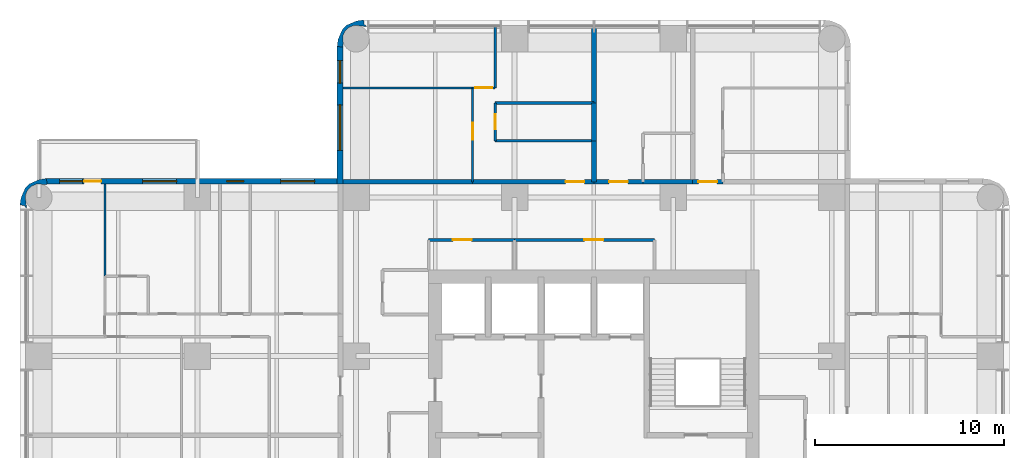
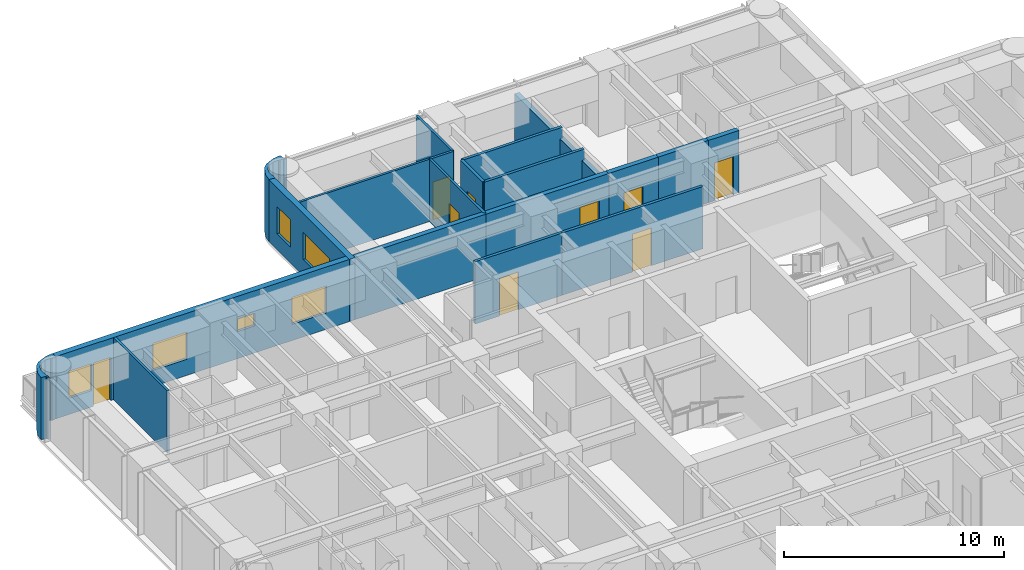
# One storey, part 9 of 11: 22 walls, 9 doors, 6 windows, 15 openings.
"""IFC4 building model written with IfcOpenShell, lengths in metres."""

from ifc_helpers import new_model, si_unit, direction, frame, frame_2d, origin, place, context, subcontext, project, spatial, polyline, rectangle, outline, extrude, material, layer, layer_set, type_object, element, fill, save


model = new_model("IFC4")

# Units and contexts
model_context = context("Model", 3, precision=1e-05, world=origin(), true_north=direction((0.0, 1.0)))
body_context = subcontext(model_context, "Body", "Model", "MODEL_VIEW")
ifc_project = project(units=[si_unit("LENGTHUNIT", "METRE"), si_unit("AREAUNIT", "SQUARE_METRE"), si_unit("VOLUMEUNIT", "CUBIC_METRE"), si_unit("PLANEANGLEUNIT", "RADIAN"), si_unit("MASSUNIT", "GRAM", prefix="KILO")], contexts=[model_context])

# Site, building, storey
site_placement = place(None, origin())
site = spatial("IfcSite", under=ifc_project, at=site_placement, CompositionType="ELEMENT")
building_placement = place(site_placement, origin())
building = spatial("IfcBuilding", under=site, at=building_placement, Name="Torre Alcanfor", CompositionType="ELEMENT")
storey_placement = place(building_placement, frame((0.0, 0.0, 201.300048828125)))
storey = spatial("IfcBuildingStorey", under=building, at=storey_placement, Name="L52", CompositionType="ELEMENT", Elevation=201.300048828125)

# Wall, opening, door
ifc_material_1 = material(Name="Concrete block masonry, hollow blocks NMX-C-404 9 MPa", Category="masonry")
ifc_layer_1 = layer(ifc_material_1, 0.25)
ifc_layer_set_1 = layer_set([ifc_layer_1], Name="Apartment entrance wall 250 EI 60")
wall_type_1 = type_object("IfcWallType", Name="Apartment entrance wall 250 EI 60", PredefinedType="PARTITIONING", material=ifc_layer_set_1)
wall_1_placement = place(storey_placement, frame((22.970947265625, 42.824951171875, 0.0), z_axis=(0.0, 0.0, 1.0), x_axis=(1.0, 0.0, 0.0)))
wall_1 = element("IfcWall", 1, at=wall_1_placement, inside=storey, type_object=wall_type_1, Name="Partition L52-CORR / L52-N1-LIVING", PredefinedType="PARTITIONING", context=body_context, shape_type="SweptSolid", body=[
    extrude(rectangle(XDim=6.428955078125, YDim=0.25, at=frame_2d((3.21435546875, 0.0))), origin(), (0.0, 0.0, 1.0), 3.449951171875),
])
opening_1_placement = place(wall_1_placement, frame((4.928955078125, 0.0, 0.0)))
opening_1 = element("IfcOpeningElement", 2, at=opening_1_placement, cuts=wall_1, Name="Opening D-A1", PredefinedType="OPENING", context=body_context, shape_type="SweptSolid", body=[
    extrude(rectangle(XDim=1.0, YDim=2.10009765625, at=frame_2d((0.5, 1.050048828125))), frame((0.0, 0.135009765625, 0.0), z_axis=(0.0, -1.0, 0.0), x_axis=(1.0, 0.0, 0.0)), (0.0, 0.0, 1.0), 0.27001953125),
])
ifc_material_2 = material(Name="Galvanised steel sheet ASTM A653", Category="steel")
door_type_1 = type_object("IfcDoorType", Name="Apartment entrance door FD60 1000x2100", OperationType="SINGLE_SWING_LEFT", PredefinedType="DOOR", material=ifc_material_2)
door_1_placement = place(opening_1_placement, origin())
door_1 = element("IfcDoor", 3, at=door_1_placement, inside=storey, type_object=door_type_1, Name="Apartment entrance L52-N1", OperationType="SINGLE_SWING_RIGHT", OverallHeight=2.10009765625, OverallWidth=1.0, PredefinedType="DOOR", context=body_context, shape_type="SweptSolid", body=[
    extrude(rectangle(XDim=1.0, YDim=2.10009765625, at=frame_2d((0.5, 1.050048828125))), frame((0.0, 0.02490234375, 0.0), z_axis=(0.0, -1.0, 0.0), x_axis=(1.0, 0.0, 0.0)), (0.0, 0.0, 1.0), 0.050048828125),
])
fill(opening_1, door_1)

# Wall
wall_2_placement = place(storey_placement, frame((16.10009765625, 42.824951171875, 0.0), z_axis=(0.0, 0.0, 1.0), x_axis=(1.0, 0.0, 0.0)))
element("IfcWall", 4, at=wall_2_placement, inside=storey, type_object=wall_type_1, Name="Partition L52-CORR / L52-N1-BED2", PredefinedType="PARTITIONING", context=body_context, shape_type="SweptSolid", body=[
    extrude(rectangle(XDim=6.870849609375, YDim=0.25, at=frame_2d((3.435546875, 0.0))), origin(), (0.0, 0.0, 1.0), 3.449951171875),
])

# Wall, opening, door
wall_3_placement = place(storey_placement, frame((29.39990234375, 42.824951171875, 0.0), z_axis=(0.0, 0.0, 1.0), x_axis=(1.0, 0.0, 0.0)))
wall_3 = element("IfcWall", 5, at=wall_3_placement, inside=storey, type_object=wall_type_1, Name="Partition L52-CORR / L52-N2A-STUDIO", PredefinedType="PARTITIONING", context=body_context, shape_type="SweptSolid", body=[
    extrude(rectangle(XDim=2.60009765625, YDim=0.25, at=frame_2d((1.300048828125, 0.0))), origin(), (0.0, 0.0, 1.0), 3.449951171875),
])
opening_2_placement = place(wall_3_placement, frame((0.800048828125, 0.0, 0.0)))
opening_2 = element("IfcOpeningElement", 6, at=opening_2_placement, cuts=wall_3, Name="Opening D-A1", PredefinedType="OPENING", context=body_context, shape_type="SweptSolid", body=[
    extrude(rectangle(XDim=1.0, YDim=2.10009765625, at=frame_2d((0.5, 1.050048828125))), frame((0.0, 0.135009765625, 0.0), z_axis=(0.0, -1.0, 0.0), x_axis=(1.0, 0.0, 0.0)), (0.0, 0.0, 1.0), 0.27001953125),
])
door_2_placement = place(opening_2_placement, origin())
door_2 = element("IfcDoor", 7, at=door_2_placement, inside=storey, type_object=door_type_1, Name="Apartment entrance L52-N2A", OperationType="SINGLE_SWING_LEFT", OverallHeight=2.10009765625, OverallWidth=1.0, PredefinedType="DOOR", context=body_context, shape_type="SweptSolid", body=[
    extrude(rectangle(XDim=1.0, YDim=2.10009765625, at=frame_2d((0.5, 1.050048828125))), frame((0.0, 0.02490234375, 0.0), z_axis=(0.0, -1.0, 0.0), x_axis=(1.0, 0.0, 0.0)), (0.0, 0.0, 1.0), 0.050048828125),
])
fill(opening_2, door_2)

# Wall
wall_4_placement = place(storey_placement, frame((32.0, 42.824951171875, 0.0), z_axis=(0.0, 0.0, 1.0), x_axis=(1.0, 0.0, 0.0)))
element("IfcWall", 8, at=wall_4_placement, inside=storey, type_object=wall_type_1, Name="Partition L52-CORR / L52-N2A-BATH", PredefinedType="PARTITIONING", context=body_context, shape_type="SweptSolid", body=[
    extrude(rectangle(XDim=2.62890625, YDim=0.25, at=frame_2d((1.314453125, 0.0))), origin(), (0.0, 0.0, 1.0), 3.449951171875),
])

# Wall, opening, door
wall_5_placement = place(storey_placement, frame((34.62890625, 42.824951171875, 0.0), z_axis=(0.0, 0.0, 1.0), x_axis=(1.0, 0.0, 0.0)))
wall_5 = element("IfcWall", 9, at=wall_5_placement, inside=storey, type_object=wall_type_1, Name="Partition L52-CORR / L52-N2B-LIVING", PredefinedType="PARTITIONING", context=body_context, shape_type="SweptSolid", body=[
    extrude(rectangle(XDim=1.60009765625, YDim=0.25, at=frame_2d((0.800048828125, 0.0))), origin(), (0.0, 0.0, 1.0), 3.449951171875),
])
opening_3_placement = place(wall_5_placement, frame((0.300048828125, 0.0, 0.0)))
opening_3 = element("IfcOpeningElement", 10, at=opening_3_placement, cuts=wall_5, Name="Opening D-A1", PredefinedType="OPENING", context=body_context, shape_type="SweptSolid", body=[
    extrude(rectangle(XDim=1.0, YDim=2.10009765625, at=frame_2d((0.5, 1.050048828125))), frame((0.0, 0.135009765625, 0.0), z_axis=(0.0, -1.0, 0.0), x_axis=(1.0, 0.0, 0.0)), (0.0, 0.0, 1.0), 0.27001953125),
])
door_3_placement = place(opening_3_placement, origin())
door_3 = element("IfcDoor", 11, at=door_3_placement, inside=storey, type_object=door_type_1, Name="Apartment entrance L52-N2B", OperationType="SINGLE_SWING_LEFT", OverallHeight=2.10009765625, OverallWidth=1.0, PredefinedType="DOOR", context=body_context, shape_type="SweptSolid", body=[
    extrude(rectangle(XDim=1.0, YDim=2.10009765625, at=frame_2d((0.5, 1.050048828125))), frame((0.0, 0.02490234375, 0.0), z_axis=(0.0, -1.0, 0.0), x_axis=(1.0, 0.0, 0.0)), (0.0, 0.0, 1.0), 0.050048828125),
])
fill(opening_3, door_3)

ifc_material_3 = material(Name="Gypsum board on steel studs", Category="steel")
ifc_layer_2 = layer(ifc_material_3, 0.1201171875)
ifc_layer_set_2 = layer_set([ifc_layer_2], Name="Apartment partition 120")
wall_type_2 = type_object("IfcWallType", Name="Apartment partition 120", PredefinedType="PARTITIONING", material=ifc_layer_set_2)
wall_6_placement = place(storey_placement, frame((22.970947265625, 42.824951171875, 0.0), z_axis=(0.0, 0.0, 1.0), x_axis=(0.0, 1.0, 0.0)))
wall_6 = element("IfcWall", 12, at=wall_6_placement, inside=storey, type_object=wall_type_2, Name="Partition L52-N1-LIVING / L52-N1-BED2", PredefinedType="PARTITIONING", context=body_context, shape_type="SweptSolid", body=[
    extrude(rectangle(XDim=4.97509765625, YDim=0.1201171875, at=frame_2d((2.487548828125, 0.0))), origin(), (0.0, 0.0, 1.0), 3.449951171875),
])
opening_4_placement = place(wall_6_placement, frame((2.22509765625, 0.0, 0.0)))
opening_4 = element("IfcOpeningElement", 13, at=opening_4_placement, cuts=wall_6, Name="Opening D-R1", PredefinedType="OPENING", context=body_context, shape_type="SweptSolid", body=[
    extrude(rectangle(XDim=0.89990234375, YDim=2.10009765625, at=frame_2d((0.449951171875, 1.050048828125))), frame((0.0, 0.070068359375, 0.0), z_axis=(0.0, -1.0, 0.0), x_axis=(1.0, 0.0, 0.0)), (0.0, 0.0, 1.0), 0.14013671875),
])
ifc_material_4 = material(Name="Timber", Category="wood")
door_type_2 = type_object("IfcDoorType", Name="Internal door 900x2100", OperationType="SINGLE_SWING_LEFT", PredefinedType="DOOR", material=ifc_material_4)
door_4_placement = place(opening_4_placement, origin())
door_4 = element("IfcDoor", 14, at=door_4_placement, inside=storey, type_object=door_type_2, Name="Door L52-N1 bed2", OperationType="SINGLE_SWING_RIGHT", OverallHeight=2.10009765625, OverallWidth=0.89990234375, PredefinedType="DOOR", context=body_context, shape_type="SweptSolid", body=[
    extrude(rectangle(XDim=0.89990234375, YDim=2.10009765625, at=frame_2d((0.449951171875, 1.050048828125))), frame((0.0, 0.02490234375, 0.0), z_axis=(0.0, -1.0, 0.0), x_axis=(1.0, 0.0, 0.0)), (0.0, 0.0, 1.0), 0.050048828125),
])
fill(opening_4, door_4)

wall_7_placement = place(storey_placement, frame((22.970947265625, 47.800048828125, 0.0), z_axis=(0.0, 0.0, 1.0), x_axis=(1.0, 0.0, 0.0)))
wall_7 = element("IfcWall", 15, at=wall_7_placement, inside=storey, type_object=wall_type_2, Name="Partition L52-N1-LIVING / L52-N1-MASTER", PredefinedType="PARTITIONING", context=body_context, shape_type="SweptSolid", body=[
    extrude(rectangle(XDim=1.199951171875, YDim=0.1201171875, at=frame_2d((0.60009765625, 0.0))), origin(), (0.0, 0.0, 1.0), 3.449951171875),
])
opening_5_placement = place(wall_7_placement, frame((0.14892578125, 0.0, 0.0)))
opening_5 = element("IfcOpeningElement", 16, at=opening_5_placement, cuts=wall_7, Name="Opening D-R1", PredefinedType="OPENING", context=body_context, shape_type="SweptSolid", body=[
    extrude(rectangle(XDim=0.89990234375, YDim=2.10009765625, at=frame_2d((0.449951171875, 1.050048828125))), frame((0.0, 0.070068359375, 0.0), z_axis=(0.0, -1.0, 0.0), x_axis=(1.0, 0.0, 0.0)), (0.0, 0.0, 1.0), 0.14013671875),
])
door_5_placement = place(opening_5_placement, origin())
door_5 = element("IfcDoor", 17, at=door_5_placement, inside=storey, type_object=door_type_2, Name="Door L52-N1 master", OperationType="SINGLE_SWING_RIGHT", OverallHeight=2.10009765625, OverallWidth=0.89990234375, PredefinedType="DOOR", context=body_context, shape_type="SweptSolid", body=[
    extrude(rectangle(XDim=0.89990234375, YDim=2.10009765625, at=frame_2d((0.449951171875, 1.050048828125))), frame((0.0, 0.02490234375, 0.0), z_axis=(0.0, -1.0, 0.0), x_axis=(1.0, 0.0, 0.0)), (0.0, 0.0, 1.0), 0.050048828125),
])
fill(opening_5, door_5)

# Walls
wall_8_placement = place(storey_placement, frame((24.1708984375, 47.800048828125, 0.0), z_axis=(0.0, 0.0, 1.0), x_axis=(0.0, 1.0, 0.0)))
element("IfcWall", 18, at=wall_8_placement, inside=storey, type_object=wall_type_2, Name="Partition L52-N1-LIVING / L52-N1-MASTER", PredefinedType="PARTITIONING", context=body_context, shape_type="SweptSolid", body=[
    extrude(rectangle(XDim=3.25, YDim=0.1201171875, at=frame_2d((1.625, 0.0))), origin(), (0.0, 0.0, 1.0), 3.449951171875),
])
wall_9_placement = place(storey_placement, frame((22.970947265625, 47.800048828125, 0.0), z_axis=(0.0, 0.0, 1.0), x_axis=(-1.0, 0.0, 0.0)))
element("IfcWall", 19, at=wall_9_placement, inside=storey, type_object=wall_type_2, Name="Partition L52-N1-BED2 / L52-N1-MASTER", PredefinedType="PARTITIONING", context=body_context, shape_type="SweptSolid", body=[
    extrude(rectangle(XDim=6.870849609375, YDim=0.1201171875, at=frame_2d((3.435546875, 0.0))), origin(), (0.0, 0.0, 1.0), 3.449951171875),
])
wall_10_placement = place(storey_placement, frame((3.5, 37.8291015625, 0.0), z_axis=(0.0, 0.0, 1.0), x_axis=(0.0, 1.0, 0.0)))
element("IfcWall", 20, at=wall_10_placement, inside=storey, type_object=wall_type_2, Name="Partition L52-W2-MASTER / L52-W2-WGARD", PredefinedType="PARTITIONING", context=body_context, shape_type="SweptSolid", body=[
    extrude(rectangle(XDim=4.870849609375, YDim=0.1201171875, at=frame_2d((2.435546875, 0.0))), origin(), (0.0, 0.0, 1.0), 3.449951171875),
])

# Wall, openings, door, windows
ifc_material_5 = material(Name="Limestone cladding", Category="masonry")
ifc_layer_3 = layer(ifc_material_5, 0.0400390625, Name="Facing")
ifc_material_6 = material(Name="Ventilated air cavity")
ifc_layer_4 = layer(ifc_material_6, 0.02001953125, ventilated=True, Name="Ventilated joint")
ifc_material_7 = material(Name="Mineral wool insulation", Category="insulation")
ifc_layer_5 = layer(ifc_material_7, 0.10009765625, Name="Insulation")
ifc_material_8 = material(Name="Concrete f'c 35 MPa", Category="concrete")
ifc_layer_6 = layer(ifc_material_8, 0.139892578125, Name="Backing")
ifc_layer_set_3 = layer_set([ifc_layer_3, ifc_layer_4, ifc_layer_5, ifc_layer_6], Name="External wall stone-clad 300")
wall_type_3 = type_object("IfcWallType", Name="External wall stone-clad 300", PredefinedType="SOLIDWALL", material=ifc_layer_set_3)
wall_11_placement = place(storey_placement, frame((15.800048828125, 42.85009765625, 0.0), z_axis=(0.0, 0.0, 1.0), x_axis=(-1.0, 0.0, 0.0)))
wall_11 = element("IfcWall", 21, at=wall_11_placement, inside=storey, type_object=wall_type_3, Name="External wall L52 1", PredefinedType="SOLIDWALL", context=body_context, shape_type="SweptSolid", body=[
    extrude(rectangle(XDim=15.400146484375, YDim=0.300048828125, at=frame_2d((7.7001953125, 0.0))), origin(), (0.0, 0.0, 1.0), 3.449951171875),
])
opening_6_placement = place(wall_11_placement, frame((1.199951171875, 0.0, 0.89990234375)))
opening_6 = element("IfcOpeningElement", 22, at=opening_6_placement, cuts=wall_11, Name="Opening W2", PredefinedType="OPENING", context=body_context, shape_type="SweptSolid", body=[
    extrude(rectangle(XDim=1.800048828125, YDim=1.5, at=frame_2d((0.89990234375, 0.75))), frame((0.0, 0.159912109375, 0.0), z_axis=(0.0, -1.0, 0.0), x_axis=(1.0, 0.0, 0.0)), (0.0, 0.0, 1.0), 0.320068359375),
])
opening_7_placement = place(wall_11_placement, frame((4.949951171875, 0.0, 1.5)))
opening_7 = element("IfcOpeningElement", 23, at=opening_7_placement, cuts=wall_11, Name="Opening W3", PredefinedType="OPENING", context=body_context, shape_type="SweptSolid", body=[
    extrude(rectangle(XDim=0.89990234375, YDim=0.699951171875, at=frame_2d((0.449951171875, 0.35009765625))), frame((0.0, 0.159912109375, 0.0), z_axis=(0.0, -1.0, 0.0), x_axis=(1.0, 0.0, 0.0)), (0.0, 0.0, 1.0), 0.320068359375),
])
opening_8_placement = place(wall_11_placement, frame((8.5, 0.0, 0.89990234375)))
opening_8 = element("IfcOpeningElement", 24, at=opening_8_placement, cuts=wall_11, Name="Opening W2", PredefinedType="OPENING", context=body_context, shape_type="SweptSolid", body=[
    extrude(rectangle(XDim=1.800048828125, YDim=1.5, at=frame_2d((0.89990234375, 0.75))), frame((0.0, 0.159912109375, 0.0), z_axis=(0.0, -1.0, 0.0), x_axis=(1.0, 0.0, 0.0)), (0.0, 0.0, 1.0), 0.320068359375),
])
opening_9_placement = place(wall_11_placement, frame((12.5, 0.0, 0.0)))
opening_9 = element("IfcOpeningElement", 25, at=opening_9_placement, cuts=wall_11, Name="Opening D-B1", PredefinedType="OPENING", context=body_context, shape_type="SweptSolid", body=[
    extrude(rectangle(XDim=0.89990234375, YDim=2.39990234375, at=frame_2d((0.449951171875, 1.199951171875))), frame((0.0, 0.159912109375, 0.0), z_axis=(0.0, -1.0, 0.0), x_axis=(1.0, 0.0, 0.0)), (0.0, 0.0, 1.0), 0.320068359375),
])
opening_10_placement = place(wall_11_placement, frame((13.5, 0.0, 0.89990234375)))
opening_10 = element("IfcOpeningElement", 26, at=opening_10_placement, cuts=wall_11, Name="Opening W4", PredefinedType="OPENING", context=body_context, shape_type="SweptSolid", body=[
    extrude(rectangle(XDim=1.199951171875, YDim=1.5, at=frame_2d((0.60009765625, 0.75))), frame((0.0, 0.159912109375, 0.0), z_axis=(0.0, -1.0, 0.0), x_axis=(1.0, 0.0, 0.0)), (0.0, 0.0, 1.0), 0.320068359375),
])
ifc_material_9 = material(Name="Aluminium and glass", Category="aluminium")
door_type_3 = type_object("IfcDoorType", Name="Balcony door glazed 900x2400", OperationType="SINGLE_SWING_LEFT", PredefinedType="DOOR", material=ifc_material_9)
door_6_placement = place(opening_9_placement, origin())
door_6 = element("IfcDoor", 27, at=door_6_placement, inside=storey, type_object=door_type_3, Name="Balcony door L52-W2", OperationType="SINGLE_SWING_LEFT", OverallHeight=2.39990234375, OverallWidth=0.89990234375, PredefinedType="DOOR", context=body_context, shape_type="SweptSolid", body=[
    extrude(rectangle(XDim=0.89990234375, YDim=2.39990234375, at=frame_2d((0.449951171875, 1.199951171875))), frame((0.0, 0.02490234375, 0.0), z_axis=(0.0, -1.0, 0.0), x_axis=(1.0, 0.0, 0.0)), (0.0, 0.0, 1.0), 0.050048828125),
])
fill(opening_9, door_6)
ifc_material_10 = material(Name="Aluminium frame with clear double glazing", Category="aluminium")
window_type_1 = type_object("IfcWindowType", Name="Window bathroom 900x700", PartitioningType="SINGLE_PANEL", PredefinedType="WINDOW", material=ifc_material_10)
window_1_placement = place(opening_7_placement, origin())
window_1 = element("IfcWindow", 28, at=window_1_placement, inside=storey, type_object=window_type_1, Name="Window W3 L52-W2", OverallHeight=0.699951171875, OverallWidth=0.89990234375, PartitioningType="SINGLE_PANEL", PredefinedType="WINDOW", context=body_context, shape_type="SweptSolid", body=[
    extrude(rectangle(XDim=0.89990234375, YDim=0.699951171875, at=frame_2d((0.449951171875, 0.35009765625))), frame((0.0, 0.030029296875, 0.0), z_axis=(0.0, -1.0, 0.0), x_axis=(1.0, 0.0, 0.0)), (0.0, 0.0, 1.0), 0.06005859375),
])
fill(opening_7, window_1)
ifc_material_11 = material(Name="Aluminium frame with clear double glazing", Category="aluminium")
window_type_2 = type_object("IfcWindowType", Name="Window bedroom 1200x1500", PartitioningType="SINGLE_PANEL", PredefinedType="WINDOW", material=ifc_material_11)
window_2_placement = place(opening_10_placement, origin())
window_2 = element("IfcWindow", 29, at=window_2_placement, inside=storey, type_object=window_type_2, Name="Window W4 L52-W2", OverallHeight=1.5, OverallWidth=1.199951171875, PartitioningType="SINGLE_PANEL", PredefinedType="WINDOW", context=body_context, shape_type="SweptSolid", body=[
    extrude(rectangle(XDim=1.199951171875, YDim=1.5, at=frame_2d((0.60009765625, 0.75))), frame((0.0, 0.030029296875, 0.0), z_axis=(0.0, -1.0, 0.0), x_axis=(1.0, 0.0, 0.0)), (0.0, 0.0, 1.0), 0.06005859375),
])
fill(opening_10, window_2)
ifc_material_12 = material(Name="Aluminium frame with clear double glazing", Category="aluminium")
window_type_3 = type_object("IfcWindowType", Name="Window bedroom 1800x1500", PartitioningType="SINGLE_PANEL", PredefinedType="WINDOW", material=ifc_material_12)
window_3_placement = place(opening_6_placement, origin())
window_3 = element("IfcWindow", 30, at=window_3_placement, inside=storey, type_object=window_type_3, Name="Window W2 L52-W2", OverallHeight=1.5, OverallWidth=1.800048828125, PartitioningType="SINGLE_PANEL", PredefinedType="WINDOW", context=body_context, shape_type="SweptSolid", body=[
    extrude(rectangle(XDim=1.800048828125, YDim=1.5, at=frame_2d((0.89990234375, 0.75))), frame((0.0, 0.030029296875, 0.0), z_axis=(0.0, -1.0, 0.0), x_axis=(1.0, 0.0, 0.0)), (0.0, 0.0, 1.0), 0.06005859375),
])
fill(opening_6, window_3)
window_4_placement = place(opening_8_placement, origin())
window_4 = element("IfcWindow", 31, at=window_4_placement, inside=storey, type_object=window_type_3, Name="Window W2 L52-W2", OverallHeight=1.5, OverallWidth=1.800048828125, PartitioningType="SINGLE_PANEL", PredefinedType="WINDOW", context=body_context, shape_type="SweptSolid", body=[
    extrude(rectangle(XDim=1.800048828125, YDim=1.5, at=frame_2d((0.89990234375, 0.75))), frame((0.0, 0.030029296875, 0.0), z_axis=(0.0, -1.0, 0.0), x_axis=(1.0, 0.0, 0.0)), (0.0, 0.0, 1.0), 0.06005859375),
])
fill(opening_8, window_4)

# Wall, openings, windows
wall_12_placement = place(storey_placement, frame((15.949951171875, 50.0, 0.0), z_axis=(0.0, 0.0, 1.0), x_axis=(0.0, -1.0, 0.0)))
wall_12 = element("IfcWall", 32, at=wall_12_placement, inside=storey, type_object=wall_type_3, Name="External wall L52 12", PredefinedType="SOLIDWALL", context=body_context, shape_type="SweptSolid", body=[
    extrude(rectangle(XDim=7.300048828125, YDim=0.300048828125, at=frame_2d((3.64990234375, 0.0))), origin(), (0.0, 0.0, 1.0), 3.449951171875),
])
opening_11_placement = place(wall_12_placement, frame((3.10009765625, 0.0, 0.89990234375)))
opening_11 = element("IfcOpeningElement", 33, at=opening_11_placement, cuts=wall_12, Name="Opening W1", PredefinedType="OPENING", context=body_context, shape_type="SweptSolid", body=[
    extrude(rectangle(XDim=2.39990234375, YDim=1.5, at=frame_2d((1.199951171875, 0.75))), frame((0.0, 0.159912109375, 0.0), z_axis=(0.0, -1.0, 0.0), x_axis=(1.0, 0.0, 0.0)), (0.0, 0.0, 1.0), 0.320068359375),
])
opening_12_placement = place(wall_12_placement, frame((0.75, 0.0, 0.89990234375)))
opening_12 = element("IfcOpeningElement", 34, at=opening_12_placement, cuts=wall_12, Name="Opening W4", PredefinedType="OPENING", context=body_context, shape_type="SweptSolid", body=[
    extrude(rectangle(XDim=1.199951171875, YDim=1.5, at=frame_2d((0.60009765625, 0.75))), frame((0.0, 0.159912109375, 0.0), z_axis=(0.0, -1.0, 0.0), x_axis=(1.0, 0.0, 0.0)), (0.0, 0.0, 1.0), 0.320068359375),
])
window_5_placement = place(opening_12_placement, origin())
window_5 = element("IfcWindow", 35, at=window_5_placement, inside=storey, type_object=window_type_2, Name="Window W4 L52-N1", OverallHeight=1.5, OverallWidth=1.199951171875, PartitioningType="SINGLE_PANEL", PredefinedType="WINDOW", context=body_context, shape_type="SweptSolid", body=[
    extrude(rectangle(XDim=1.199951171875, YDim=1.5, at=frame_2d((0.60009765625, 0.75))), frame((0.0, 0.030029296875, 0.0), z_axis=(0.0, -1.0, 0.0), x_axis=(1.0, 0.0, 0.0)), (0.0, 0.0, 1.0), 0.06005859375),
])
fill(opening_12, window_5)
ifc_material_13 = material(Name="Aluminium frame with clear double glazing", Category="aluminium")
window_type_4 = type_object("IfcWindowType", Name="Window bedroom 2400x1500", PartitioningType="SINGLE_PANEL", PredefinedType="WINDOW", material=ifc_material_13)
window_6_placement = place(opening_11_placement, origin())
window_6 = element("IfcWindow", 36, at=window_6_placement, inside=storey, type_object=window_type_4, Name="Window W1 L52-N1", OverallHeight=1.5, OverallWidth=2.39990234375, PartitioningType="SINGLE_PANEL", PredefinedType="WINDOW", context=body_context, shape_type="SweptSolid", body=[
    extrude(rectangle(XDim=2.39990234375, YDim=1.5, at=frame_2d((1.199951171875, 0.75))), frame((0.0, 0.030029296875, 0.0), z_axis=(0.0, -1.0, 0.0), x_axis=(1.0, 0.0, 0.0)), (0.0, 0.0, 1.0), 0.06005859375),
])
fill(opening_11, window_6)

# Walls
ifc_material_14 = material(Name="Concrete block masonry, hollow blocks NMX-C-404 9 MPa", Category="masonry")
ifc_layer_7 = layer(ifc_material_14, 0.25)
ifc_layer_set_4 = layer_set([ifc_layer_7], Name="Party wall 250 EI 60")
wall_type_4 = type_object("IfcWallType", Name="Party wall 250 EI 60", PredefinedType="PARTITIONING", material=ifc_layer_set_4)
wall_13_placement = place(storey_placement, frame((29.39990234375, 45.0, 0.0), z_axis=(0.0, 0.0, 1.0), x_axis=(0.0, 1.0, 0.0)))
element("IfcWall", 37, at=wall_13_placement, inside=storey, type_object=wall_type_4, Name="Partition L52-N1-BATH / L52-N2A-STUDIO", PredefinedType="PARTITIONING", context=body_context, shape_type="SweptSolid", body=[
    extrude(rectangle(XDim=2.0, YDim=0.25, at=frame_2d((1.0, 0.0))), origin(), (0.0, 0.0, 1.0), 2.847900390625),
])
wall_14_placement = place(storey_placement, frame((29.39990234375, 45.0, 0.0), z_axis=(0.0, 0.0, 1.0), x_axis=(0.0, -1.0, 0.0)))
element("IfcWall", 38, at=wall_14_placement, inside=storey, type_object=wall_type_4, Name="Partition L52-N1-LIVING / L52-N2A-STUDIO", PredefinedType="PARTITIONING", context=body_context, shape_type="SweptSolid", body=[
    extrude(rectangle(XDim=2.175048828125, YDim=0.25, at=frame_2d((1.08740234375, 0.0))), origin(), (0.0, 0.0, 1.0), 2.847900390625),
])
wall_15_placement = place(storey_placement, frame((29.39990234375, 51.050048828125, 0.0), z_axis=(0.0, 0.0, 1.0), x_axis=(0.0, -1.0, 0.0)))
element("IfcWall", 39, at=wall_15_placement, inside=storey, type_object=wall_type_4, Name="Partition L52-N1-LIVING / L52-N2A-STUDIO", PredefinedType="PARTITIONING", context=body_context, shape_type="SweptSolid", body=[
    extrude(rectangle(XDim=4.050048828125, YDim=0.25, at=frame_2d((2.02490234375, 0.0))), origin(), (0.0, 0.0, 1.0), 2.847900390625),
])

# Wall, opening, door
ifc_material_15 = material(Name="Concrete block masonry, hollow blocks NMX-C-404 9 MPa", Category="masonry")
ifc_layer_8 = layer(ifc_material_15, 0.14990234375)
ifc_layer_set_5 = layer_set([ifc_layer_8], Name="Residents' room partition 150")
wall_type_5 = type_object("IfcWallType", Name="Residents' room partition 150", PredefinedType="PARTITIONING", material=ifc_layer_set_5)
wall_16_placement = place(storey_placement, frame((25.199951171875, 39.75, 0.0), z_axis=(0.0, 0.0, 1.0), x_axis=(-1.0, 0.0, 0.0)))
wall_16 = element("IfcWall", 40, at=wall_16_placement, inside=storey, type_object=wall_type_5, Name="Partition L52-CORR / L52-G01", PredefinedType="PARTITIONING", context=body_context, shape_type="SweptSolid", body=[
    extrude(rectangle(XDim=4.550048828125, YDim=0.14990234375, at=frame_2d((2.27490234375, 0.0))), origin(), (0.0, 0.0, 1.0), 3.449951171875),
])
opening_13_placement = place(wall_16_placement, frame((2.27490234375, 0.0, 0.0)))
opening_13 = element("IfcOpeningElement", 41, at=opening_13_placement, cuts=wall_16, Name="Opening D-M1", PredefinedType="OPENING", context=body_context, shape_type="SweptSolid", body=[
    extrude(rectangle(XDim=1.0, YDim=2.10009765625, at=frame_2d((0.5, 1.050048828125))), frame((0.0, 0.0849609375, 0.0), z_axis=(0.0, -1.0, 0.0), x_axis=(1.0, 0.0, 0.0)), (0.0, 0.0, 1.0), 0.169921875),
])
ifc_material_16 = material(Name="Timber", Category="wood")
door_type_4 = type_object("IfcDoorType", Name="Residents' room door 1000x2100", OperationType="SINGLE_SWING_LEFT", PredefinedType="DOOR", material=ifc_material_16)
door_7_placement = place(opening_13_placement, origin())
door_7 = element("IfcDoor", 42, at=door_7_placement, inside=storey, type_object=door_type_4, Name="Door L52-G01 residents' lockers", OperationType="SINGLE_SWING_RIGHT", OverallHeight=2.10009765625, OverallWidth=1.0, PredefinedType="DOOR", context=body_context, shape_type="SweptSolid", body=[
    extrude(rectangle(XDim=1.0, YDim=2.10009765625, at=frame_2d((0.5, 1.050048828125))), frame((0.0, 0.02490234375, 0.0), z_axis=(0.0, -1.0, 0.0), x_axis=(1.0, 0.0, 0.0)), (0.0, 0.0, 1.0), 0.050048828125),
])
fill(opening_13, door_7)

wall_17_placement = place(storey_placement, frame((32.60009765625, 39.75, 0.0), z_axis=(0.0, 0.0, 1.0), x_axis=(-1.0, 0.0, 0.0)))
wall_17 = element("IfcWall", 43, at=wall_17_placement, inside=storey, type_object=wall_type_5, Name="Partition L52-CORR / L52-G02", PredefinedType="PARTITIONING", context=body_context, shape_type="SweptSolid", body=[
    extrude(rectangle(XDim=7.400146484375, YDim=0.14990234375, at=frame_2d((3.7001953125, 0.0))), origin(), (0.0, 0.0, 1.0), 3.449951171875),
])
opening_14_placement = place(wall_17_placement, frame((2.699951171875, 0.0, 0.0)))
opening_14 = element("IfcOpeningElement", 44, at=opening_14_placement, cuts=wall_17, Name="Opening D-M1", PredefinedType="OPENING", context=body_context, shape_type="SweptSolid", body=[
    extrude(rectangle(XDim=1.0, YDim=2.10009765625, at=frame_2d((0.5, 1.050048828125))), frame((0.0, 0.0849609375, 0.0), z_axis=(0.0, -1.0, 0.0), x_axis=(1.0, 0.0, 0.0)), (0.0, 0.0, 1.0), 0.169921875),
])
door_8_placement = place(opening_14_placement, origin())
door_8 = element("IfcDoor", 45, at=door_8_placement, inside=storey, type_object=door_type_4, Name="Door L52-G02 residents' lockers", OperationType="SINGLE_SWING_LEFT", OverallHeight=2.10009765625, OverallWidth=1.0, PredefinedType="DOOR", context=body_context, shape_type="SweptSolid", body=[
    extrude(rectangle(XDim=1.0, YDim=2.10009765625, at=frame_2d((0.5, 1.050048828125))), frame((0.0, 0.02490234375, 0.0), z_axis=(0.0, -1.0, 0.0), x_axis=(1.0, 0.0, 0.0)), (0.0, 0.0, 1.0), 0.050048828125),
])
fill(opening_14, door_8)

# Walls
ifc_layer_9 = layer(ifc_material_5, 0.0400390625, Name="Facing")
ifc_layer_10 = layer(ifc_material_6, 0.02001953125, ventilated=True, Name="Ventilated joint")
ifc_layer_11 = layer(ifc_material_7, 0.10009765625, Name="Insulation")
ifc_layer_12 = layer(ifc_material_8, 0.139892578125, Name="Backing")
ifc_layer_set_6 = layer_set([ifc_layer_9, ifc_layer_10, ifc_layer_11, ifc_layer_12], Name="Rounded corner pier stone-clad 300")
wall_type_6 = type_object("IfcWallType", Name="Rounded corner pier stone-clad 300", PredefinedType="SOLIDWALL", material=ifc_layer_set_6)
wall_18_placement = place(storey_placement, frame((0.289684728, 42.724211819, 0.0), z_axis=(0.0, 0.0, 1.0), x_axis=(-0.898030234854, 0.439933741929, 0.0)))
element("IfcWall", 46, at=wall_18_placement, inside=storey, type_object=wall_type_6, Name="Corner pier L52 13", PredefinedType="SOLIDWALL", context=body_context, shape_type="SweptSolid", body=[
    extrude(outline(polyline([(-0.1451696260029872, -0.04410137667948781), (0.022349775089968618, -0.29615457307685267), (0.3267662274453961, -0.09401161193946184), (0.5684395137438579, 0.1801582341686725), (0.5775438768187978, 0.19875519044837203), (0.6998681881563861, 0.337520421761322), (0.8105897526086489, 0.6609052696654318), (0.798987005723323, 0.8455248862565916), (0.8031915983754734, 0.8657994419976891), (0.7802772818432999, 1.230559659021311), (0.6636401292003462, 1.5768643338748296), (0.426274926498842, 1.4970116570996908), (0.3818262033461368, 1.5361339555879763), (0.27609856791259557, 1.5721508582913652), (0.34924184873618547, 1.4228445619203098), (0.3919947529834039, 1.4437886731693554), (0.4531844604451624, 1.2611683721887113), (0.5096660727895201, 1.2113572307370708), (0.632323380719828, 0.9609786838123349), (0.6499334439144826, 0.6825189735513317), (0.5596785928912745, 0.41891132480525434), (0.37509146330548054, 0.2096805523179385), (0.12471291638074464, 0.0870232443876307), (0.04955403003282338, 0.08228360846554762), (-0.12741072731568104, -0.035401515083730434), (-0.1451696260029872, -0.04410137667948781)])), origin(), (0.0, 0.0, 1.0), 3.449951171875),
])
wall_19_placement = place(storey_placement, frame((17.312325495, 50.98815184, 0.0), z_axis=(0.0, 0.0, 1.0), x_axis=(-0.439933741929, 0.898030234854, 0.0)))
element("IfcWall", 47, at=wall_19_placement, inside=storey, type_object=wall_type_6, Name="Corner pier L52 20", PredefinedType="SOLIDWALL", context=body_context, shape_type="SweptSolid", body=[
    extrude(outline(polyline([(0.1377143835604198, -0.039385181817258766), (0.1818364553516057, -0.0003747232930663008), (0.4192016580531099, -0.08022740006820503), (0.5358388106960636, 0.26607727478531357), (0.5587531272282371, 0.6308374918089354), (0.5545485345760868, 0.6511120475500328), (0.5663705271242188, 0.8356242584424797), (0.45553712270786306, 1.1593357577081085), (0.33310540567156155, 1.2978817433582523), (0.3240010425966217, 1.316478699637952), (0.08232775629815992, 1.5906485457460864), (-0.22208869605726766, 1.7927915068834772), (-0.3896080971502234, 1.5407383104861123), (-0.3718491984629172, 1.532038448890355), (-0.1945577897528935, 1.41446516530517), (-0.1197255547664915, 1.4096136894189937), (0.13065299215824444, 1.286956381488686), (0.3152401217440383, 1.07772560900137), (0.4057142184300525, 0.8140105545565798), (0.3881041552353981, 0.5355508442955765), (0.26544684730509027, 0.28517229737084054), (0.20907264065944553, 0.23558040158200633), (0.14755628183616776, 0.052848260637269044), (0.10502262325175554, 0.07368496618760154), (0.031879342428165675, -0.0756213301834538), (0.1377143835604198, -0.039385181817258766)])), origin(), (0.0, 0.0, 1.0), 3.449951171875),
])
ifc_material_17 = material(Name="Cement board on steel studs", Category="steel")
ifc_layer_13 = layer(ifc_material_17, 0.14990234375)
ifc_layer_set_7 = layer_set([ifc_layer_13], Name="Wet area partition 150")
wall_type_7 = type_object("IfcWallType", Name="Wet area partition 150", PredefinedType="PARTITIONING", material=ifc_layer_set_7)
wall_20_placement = place(storey_placement, frame((29.39990234375, 47.0, 0.0), z_axis=(0.0, 0.0, 1.0), x_axis=(-1.0, 0.0, 0.0)))
element("IfcWall", 48, at=wall_20_placement, inside=storey, type_object=wall_type_7, Name="Partition L52-N1-BATH / L52-N1-LIVING", PredefinedType="PARTITIONING", context=body_context, shape_type="SweptSolid", body=[
    extrude(rectangle(XDim=5.22900390625, YDim=0.14990234375, at=frame_2d((2.614501953125, 0.0))), origin(), (0.0, 0.0, 1.0), 3.449951171875),
])

# Wall, opening, door
wall_21_placement = place(storey_placement, frame((24.1708984375, 47.0, 0.0), z_axis=(0.0, 0.0, 1.0), x_axis=(0.0, -1.0, 0.0)))
wall_21 = element("IfcWall", 49, at=wall_21_placement, inside=storey, type_object=wall_type_7, Name="Partition L52-N1-BATH / L52-N1-LIVING", PredefinedType="PARTITIONING", context=body_context, shape_type="SweptSolid", body=[
    extrude(rectangle(XDim=2.0, YDim=0.14990234375, at=frame_2d((1.0, 0.0))), origin(), (0.0, 0.0, 1.0), 3.449951171875),
])
opening_15_placement = place(wall_21_placement, frame((0.60009765625, 0.0, 0.0)))
opening_15 = element("IfcOpeningElement", 50, at=opening_15_placement, cuts=wall_21, Name="Opening D-R2", PredefinedType="OPENING", context=body_context, shape_type="SweptSolid", body=[
    extrude(rectangle(XDim=0.800048828125, YDim=2.10009765625, at=frame_2d((0.39990234375, 1.050048828125))), frame((0.0, 0.0849609375, 0.0), z_axis=(0.0, -1.0, 0.0), x_axis=(1.0, 0.0, 0.0)), (0.0, 0.0, 1.0), 0.169921875),
])
ifc_material_18 = material(Name="Timber", Category="wood")
door_type_5 = type_object("IfcDoorType", Name="Bathroom door 800x2100", OperationType="SINGLE_SWING_LEFT", PredefinedType="DOOR", material=ifc_material_18)
door_9_placement = place(opening_15_placement, origin())
door_9 = element("IfcDoor", 51, at=door_9_placement, inside=storey, type_object=door_type_5, Name="Door L52-N1 bath", OperationType="SINGLE_SWING_LEFT", OverallHeight=2.10009765625, OverallWidth=0.800048828125, PredefinedType="DOOR", context=body_context, shape_type="SweptSolid", body=[
    extrude(rectangle(XDim=0.800048828125, YDim=2.10009765625, at=frame_2d((0.39990234375, 1.050048828125))), frame((0.0, 0.02490234375, 0.0), z_axis=(0.0, -1.0, 0.0), x_axis=(1.0, 0.0, 0.0)), (0.0, 0.0, 1.0), 0.050048828125),
])
fill(opening_15, door_9)

# Wall
wall_22_placement = place(storey_placement, frame((24.1708984375, 45.0, 0.0), z_axis=(0.0, 0.0, 1.0), x_axis=(1.0, 0.0, 0.0)))
element("IfcWall", 52, at=wall_22_placement, inside=storey, type_object=wall_type_7, Name="Partition L52-N1-BATH / L52-N1-LIVING", PredefinedType="PARTITIONING", context=body_context, shape_type="SweptSolid", body=[
    extrude(rectangle(XDim=5.22900390625, YDim=0.14990234375, at=frame_2d((2.614501953125, 0.0))), origin(), (0.0, 0.0, 1.0), 3.449951171875),
])

save(model, "model.ifc")
